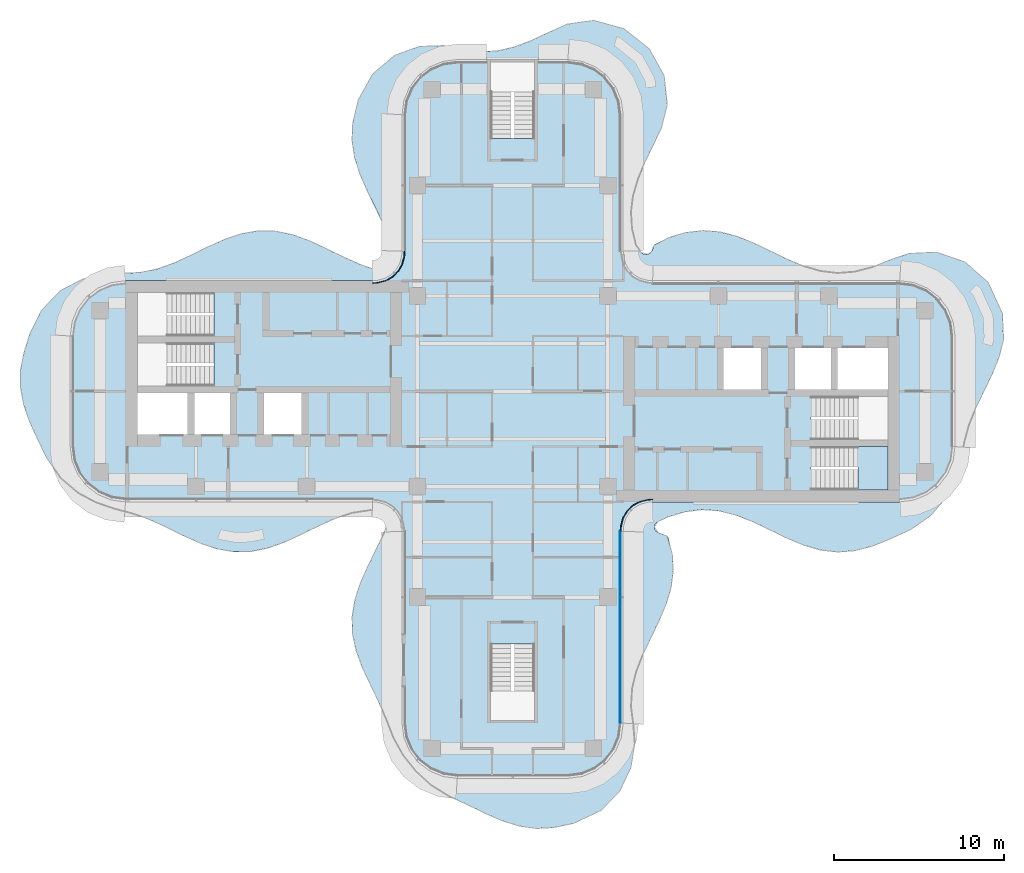
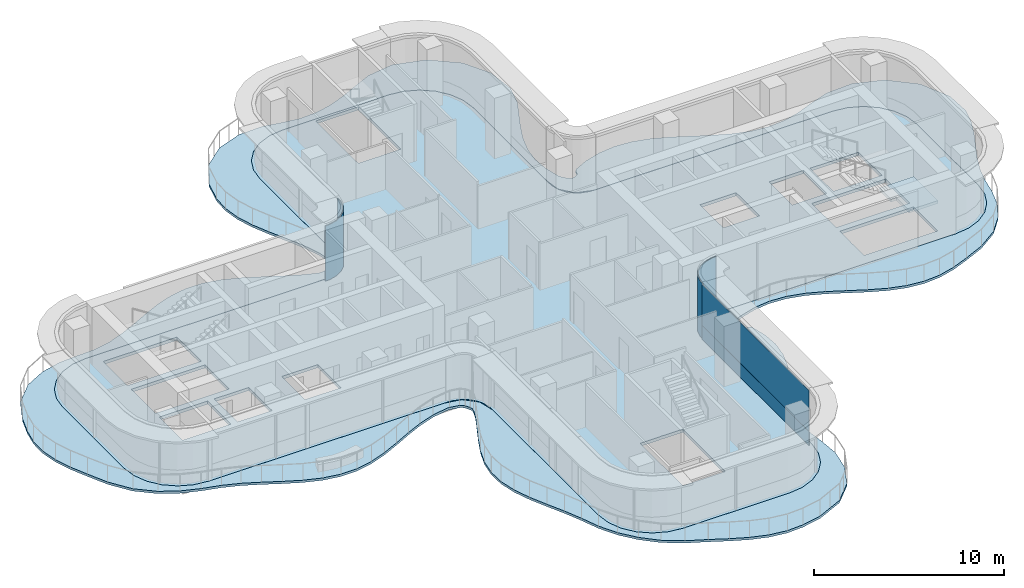
# One storey, part 9 of 16: 4 plates, 3 slabs, 4 elements without a shape of their own.
"""IFC4 building model written with IfcOpenShell, lengths in metres."""

from ifc_helpers import new_model, si_unit, direction, frame, origin, place, context, subcontext, project, spatial, polyline, outline, extrude, source, transform, mapped, material, layer, layer_set, type_object, element, aggregate, save


model = new_model("IFC4")

# Units and contexts
model_context = context("Model", 3, precision=1e-05, world=origin(), true_north=direction((0.0, 1.0)))
body_context = subcontext(model_context, "Body", "Model", "MODEL_VIEW")
ifc_project = project(units=[si_unit("LENGTHUNIT", "METRE"), si_unit("AREAUNIT", "SQUARE_METRE"), si_unit("VOLUMEUNIT", "CUBIC_METRE"), si_unit("PLANEANGLEUNIT", "RADIAN"), si_unit("MASSUNIT", "GRAM", prefix="KILO")], contexts=[model_context])

# Site, building, storey
site_placement = place(None, origin())
site = spatial("IfcSite", under=ifc_project, at=site_placement, CompositionType="ELEMENT")
building_placement = place(site_placement, origin())
building = spatial("IfcBuilding", under=site, at=building_placement, Name="Trellis Farm Tower", CompositionType="ELEMENT")
storey_placement = place(building_placement, frame((0.0, 0.0, 310.60009765625)))
storey = spatial("IfcBuildingStorey", under=building, at=storey_placement, Name="L70", CompositionType="ELEMENT", Elevation=310.60009765625)

# Slabs
ifc_material_1 = material(Name="Concrete C40/50", Category="concrete")
ifc_layer_1 = layer(ifc_material_1, 0.14990234375)
ifc_layer_set_1 = layer_set([ifc_layer_1], Name="Balcony slab 150")
slab_type_1 = type_object("IfcSlabType", Name="Balcony slab 150", PredefinedType="FLOOR", material=ifc_layer_set_1)
slab_1_placement = place(storey_placement, frame((0.0, 0.0, -0.150146484375)))
element("IfcSlab", 1, at=slab_1_placement, inside=storey, type_object=slab_type_1, Name="Balcony slab", PredefinedType="FLOOR", context=body_context, shape_type="SweptSolid", body=[
    extrude(outline(polyline([(-23.438720703125, -6.88720703125), (-24.484130859375, -6.526611328125), (-24.505615234375, -6.517333984375), (-25.52587890625, -5.974365234375), (-25.552734375, -5.955810546875), (-26.549072265625, -5.104248046875), (-26.574462890625, -5.076416015625), (-27.37646484375, -3.930908203125), (-27.388916015625, -3.90966796875), (-27.943603515625, -2.755126953125), (-27.945068359375, -2.752197265625), (-28.397705078125, -1.75439453125), (-28.40283203125, -1.741455078125), (-28.741943359375, -0.75732421875), (-28.747802734375, -0.735595703125), (-28.92529296875, 0.239013671875), (-28.927734375, 0.26708984375), (-28.92041015625, 1.23486328125), (-28.917724609375, 1.262451171875), (-28.7294921875, 2.22998046875), (-28.72509765625, 2.246337890625), (-28.372314453125, 3.368896484375), (-28.364013671875, 3.39013671875), (-27.693115234375, 4.75537109375), (-27.666259765625, 4.79345703125), (-26.584228515625, 5.909912109375), (-26.545654296875, 5.938720703125), (-25.31103515625, 6.57958984375), (-25.27685546875, 6.59228515625), (-24.091552734375, 6.87646484375), (-24.0654296875, 6.88037109375), (-22.932373046875, 6.9482421875), (-22.92822265625, 6.948486328125), (-21.923828125, 6.980224609375), (-21.911865234375, 6.981689453125), (-20.9228515625, 7.176025390625), (-20.912109375, 7.178955078125), (-19.885498046875, 7.544921875), (-19.879150390625, 7.547607421875), (-18.89697265625, 8.00048828125), (-18.895263671875, 8.001220703125), (-17.9033203125, 8.4892578125), (-17.8984375, 8.491455078125), (-16.90625, 8.9345703125), (-16.892578125, 8.939697265625), (-15.935302734375, 9.25927734375), (-15.9130859375, 9.264892578125), (-14.94580078125, 9.430419921875), (-14.917236328125, 9.432373046875), (-13.91748046875, 9.410400390625), (-13.8896484375, 9.4072265625), (-12.921630859375, 9.202392578125), (-12.901123046875, 9.19677734375), (-11.926025390625, 8.840087890625), (-11.914306640625, 8.83544921875), (-10.930419921875, 8.378662109375), (-10.927490234375, 8.377197265625), (-9.9296875, 7.886962890625), (-9.927001953125, 7.8857421875), (-8.95458984375, 7.454345703125), (-8.94873046875, 7.4521484375), (-8.147705078125, 7.17236328125), (-8.127685546875, 7.168212890625), (-7.95947265625, 7.158203125), (-7.939208984375, 7.15966796875), (-7.52587890625, 7.248779296875), (-7.510498046875, 7.25390625), (-7.39404296875, 7.3076171875), (-7.368408203125, 7.327392578125), (-7.2861328125, 7.425537109375), (-7.277099609375, 7.439208984375), (-7.104248046875, 7.773681640625), (-7.0966796875, 7.797119140625), (-7.0673828125, 7.998046875), (-7.06787109375, 8.022705078125), (-7.2021484375, 8.735107421875), (-7.20556640625, 8.7470703125), (-7.583251953125, 9.7763671875), (-7.585693359375, 9.7822265625), (-8.04443359375, 10.764892578125), (-8.045166015625, 10.766357421875), (-8.529541015625, 11.75244140625), (-8.5322265625, 11.75830078125), (-8.9638671875, 12.739501953125), (-8.96923828125, 12.75390625), (-9.281982421875, 13.726318359375), (-9.28759765625, 13.749755859375), (-9.438720703125, 14.74951171875), (-9.440185546875, 14.7783203125), (-9.398681640625, 15.7451171875), (-9.39501953125, 15.773193359375), (-9.083740234375, 17.086181640625), (-9.069091796875, 17.12353515625), (-8.2587890625, 18.601806640625), (-8.24365234375, 18.62451171875), (-8.220947265625, 18.652099609375), (-8.201904296875, 18.671875), (-6.9541015625, 19.72900390625), (-6.931884765625, 19.744384765625), (-6.901123046875, 19.76220703125), (-6.87646484375, 19.7734375), (-5.474853515625, 20.269287109375), (-5.42919921875, 20.27783203125), (-4.0419921875, 20.31884765625), (-4.009521484375, 20.316162109375), (-2.88037109375, 20.101318359375), (-2.876953125, 20.1005859375), (-1.914306640625, 19.9619140625), (-1.900390625, 19.961181640625), (-0.91650390625, 20.002685546875), (-0.90283203125, 20.00439453125), (0.090087890625, 20.230224609375), (0.10009765625, 20.2333984375), (1.099365234375, 20.61181640625), (1.104736328125, 20.614013671875), (2.1103515625, 21.087890625), (2.11279296875, 21.089111328125), (3.18310546875, 21.569580078125), (3.22265625, 21.5810546875), (4.697021484375, 21.798583984375), (4.72802734375, 21.800048828125), (4.76806640625, 21.797607421875), (4.798828125, 21.79248046875), (6.51171875, 21.32080078125), (6.539794921875, 21.309814453125), (6.57470703125, 21.2919921875), (6.600341796875, 21.275634765625), (8.02880859375, 20.134521484375), (8.05029296875, 20.11376953125), (8.074951171875, 20.084228515625), (8.091796875, 20.0595703125), (8.881591796875, 18.609619140625), (8.892822265625, 18.5830078125), (8.904296875, 18.546875), (8.91015625, 18.518310546875), (9.091552734375, 16.8642578125), (9.092041015625, 16.83740234375), (9.089599609375, 16.802734375), (9.085205078125, 16.77587890625), (8.7587890625, 15.505859375), (8.748779296875, 15.47802734375), (7.8076171875, 13.52392578125), (7.806396484375, 13.52099609375), (7.386962890625, 12.540283203125), (7.384033203125, 12.5322265625), (7.076904296875, 11.499267578125), (7.07421875, 11.4873046875), (6.95751953125, 10.56640625), (6.95703125, 10.552490234375), (7.015869140625, 9.567626953125), (7.017822265625, 9.554443359375), (7.24609375, 8.61376953125), (7.251708984375, 8.5986328125), (7.308349609375, 8.482177734375), (7.316650390625, 8.46875), (7.54248046875, 8.179443359375), (7.559326171875, 8.163818359375), (7.70654296875, 8.063232421875), (7.749267578125, 8.050537109375), (7.927490234375, 8.05419921875), (7.949951171875, 8.058349609375), (7.989013671875, 8.071533203125), (8.0048828125, 8.079345703125), (8.122314453125, 8.154541015625), (8.146484375, 8.18017578125), (8.21630859375, 8.302001953125), (8.222900390625, 8.31689453125), (8.2958984375, 8.551025390625), (8.372802734375, 8.64111328125), (9.17724609375, 9.03759765625), (9.20166015625, 9.047119140625), (10.173583984375, 9.3291015625), (10.1982421875, 9.334228515625), (11.169677734375, 9.44580078125), (11.198486328125, 9.4462890625), (12.165283203125, 9.371337890625), (12.19091796875, 9.3671875), (13.139404296875, 9.1240234375), (13.15771484375, 9.1181640625), (14.156005859375, 8.721435546875), (14.166015625, 8.71728515625), (16.137451171875, 7.76611328125), (16.14111328125, 7.764404296875), (17.12109375, 7.35400390625), (17.12939453125, 7.35107421875), (18.10595703125, 7.069580078125), (18.1181640625, 7.06689453125), (19.095947265625, 6.955078125), (19.110107421875, 6.95458984375), (20.095703125, 7.030517578125), (20.108642578125, 7.03271484375), (21.10302734375, 7.289794921875), (21.112060546875, 7.292724609375), (22.1259765625, 7.698486328125), (22.133056640625, 7.701171875), (23.29345703125, 8.099853515625), (23.33447265625, 8.107666015625), (24.85009765625, 8.18408203125), (24.87890625, 8.182861328125), (24.914306640625, 8.177734375), (24.941650390625, 8.17138671875), (26.525390625, 7.632080078125), (26.55224609375, 7.619873046875), (26.58544921875, 7.6005859375), (26.609375, 7.583251953125), (27.9501953125, 6.3984375), (27.9716796875, 6.375), (27.995849609375, 6.34228515625), (28.011962890625, 6.31494140625), (28.768310546875, 4.642333984375), (28.777587890625, 4.615234375), (28.7861328125, 4.579345703125), (28.790283203125, 4.551025390625), (28.855712890625, 3.061279296875), (28.851318359375, 3.017333984375), (28.59326171875, 2.01318359375), (28.5869140625, 1.993896484375), (28.180419921875, 0.99560546875), (28.176513671875, 0.987060546875), (27.224853515625, -0.984375), (27.222900390625, -0.988525390625), (26.822021484375, -1.968017578125), (26.819091796875, -1.9765625), (26.54638671875, -2.97607421875), (26.545166015625, -2.982177734375), (26.343017578125, -4.073974609375), (26.339111328125, -4.089599609375), (26.012939453125, -5.185302734375), (26.001953125, -5.21240234375), (25.43603515625, -6.289306640625), (25.417236328125, -6.31689453125), (24.57275390625, -7.3037109375), (24.5439453125, -7.32958984375), (23.3671875, -8.142333984375), (23.343505859375, -8.156005859375), (22.130615234375, -8.69921875), (22.125244140625, -8.701416015625), (21.127197265625, -9.102783203125), (21.10888671875, -9.108642578125), (20.13037109375, -9.3642578125), (20.1044921875, -9.36865234375), (19.13427734375, -9.446533203125), (19.10546875, -9.446044921875), (18.138671875, -9.337646484375), (18.114013671875, -9.3330078125), (17.16259765625, -9.060791015625), (17.14599609375, -9.05517578125), (16.1474609375, -8.638671875), (16.139892578125, -8.63525390625), (14.147216796875, -7.6748046875), (14.14208984375, -7.672607421875), (13.142333984375, -7.27734375), (13.133056640625, -7.2744140625), (12.13916015625, -7.025146484375), (12.1259765625, -7.02294921875), (11.140869140625, -6.955810546875), (11.126708984375, -6.9560546875), (10.149169921875, -7.076416015625), (10.136962890625, -7.0791015625), (9.15673828125, -7.3701171875), (9.146728515625, -7.373779296875), (8.5361328125, -7.65478515625), (8.51806640625, -7.66650390625), (8.3916015625, -7.778076171875), (8.369384765625, -7.81396484375), (8.328369140625, -7.966064453125), (8.32958984375, -8.00830078125), (8.37939453125, -8.15771484375), (8.40380859375, -8.1923828125), (8.536376953125, -8.29638671875), (8.55517578125, -8.30712890625), (9.060791015625, -8.505126953125), (9.118896484375, -8.5458984375), (9.119873046875, -8.546875), (9.15283203125, -8.610107421875), (9.37939453125, -9.5322265625), (9.383544921875, -9.55859375), (9.444580078125, -10.5283203125), (9.443603515625, -10.556884765625), (9.318603515625, -11.523681640625), (9.313720703125, -11.547607421875), (9.027587890625, -12.5009765625), (9.02197265625, -12.5166015625), (8.59619140625, -13.515380859375), (8.593505859375, -13.521484375), (7.63427734375, -15.51611328125), (7.6318359375, -15.521484375), (7.261474609375, -16.4765625), (7.258544921875, -16.48583984375), (7.020263671875, -17.4619140625), (7.018310546875, -17.475341796875), (6.95849609375, -18.520751953125), (6.958984375, -18.534423828125), (7.08740234375, -19.529541015625), (7.088134765625, -19.536865234375), (7.18115234375, -20.71337890625), (7.1796875, -20.75), (6.95263671875, -22.1083984375), (6.940185546875, -22.148193359375), (6.296875, -23.49853515625), (6.26904296875, -23.538818359375), (5.211181640625, -24.6259765625), (5.1904296875, -24.643798828125), (5.16162109375, -24.664306640625), (5.1376953125, -24.677978515625), (3.60595703125, -25.383544921875), (3.573974609375, -25.394287109375), (2.397216796875, -25.640380859375), (2.3740234375, -25.643310546875), (1.4072265625, -25.6923828125), (1.37841796875, -25.691162109375), (0.37841796875, -25.548095703125), (0.3544921875, -25.542724609375), (-0.617431640625, -25.23681640625), (-0.632080078125, -25.231201171875), (-1.605712890625, -24.806884765625), (-1.61181640625, -24.80419921875), (-2.61181640625, -24.314208984375), (-2.61328125, -24.3134765625), (-3.7265625, -23.800537109375), (-3.7431640625, -23.791748046875), (-4.805908203125, -23.130859375), (-4.828369140625, -23.11376953125), (-5.693115234375, -22.31689453125), (-5.708740234375, -22.300048828125), (-6.425048828125, -21.400146484375), (-6.43896484375, -21.37939453125), (-6.996826171875, -20.375), (-7.005615234375, -20.3564453125), (-7.42626953125, -19.273681640625), (-7.427490234375, -19.27099609375), (-7.863525390625, -18.267578125), (-7.864990234375, -18.2646484375), (-8.356689453125, -17.26220703125), (-8.35791015625, -17.259521484375), (-8.821533203125, -16.265380859375), (-8.826416015625, -16.25390625), (-9.18994140625, -15.268310546875), (-9.196044921875, -15.247802734375), (-9.405517578125, -14.271484375), (-9.40869140625, -14.244140625), (-9.435791015625, -13.275634765625), (-9.433837890625, -13.247314453125), (-9.2763671875, -12.2802734375), (-9.270751953125, -12.257568359375), (-8.951416015625, -11.28466796875), (-8.946044921875, -11.2705078125), (-8.510498046875, -10.28857421875), (-8.50830078125, -10.283935546875), (-7.569580078125, -8.349853515625), (-7.566162109375, -8.341552734375), (-7.3916015625, -7.832275390625), (-7.38818359375, -7.81689453125), (-7.373779296875, -7.698486328125), (-7.37646484375, -7.668212890625), (-7.41064453125, -7.5537109375), (-7.41650390625, -7.539306640625), (-7.56298828125, -7.26904296875), (-7.572265625, -7.255615234375), (-7.656494140625, -7.158935546875), (-7.682373046875, -7.139892578125), (-7.7998046875, -7.08837890625), (-7.8154296875, -7.083251953125), (-8.351806640625, -6.97802734375), (-8.365234375, -6.976806640625), (-8.477294921875, -6.975341796875), (-8.4912109375, -6.976318359375), (-9.431396484375, -7.140380859375), (-9.4423828125, -7.14306640625), (-10.419921875, -7.47119140625), (-10.4267578125, -7.473876953125), (-11.396728515625, -7.90771484375), (-11.399169921875, -7.908935546875), (-12.400390625, -8.401123046875), (-12.40380859375, -8.40283203125), (-13.397216796875, -8.860107421875), (-13.40966796875, -8.864990234375), (-14.394287109375, -9.216552734375), (-14.415771484375, -9.222412109375), (-15.39111328125, -9.416259765625), (-15.418701171875, -9.4189453125), (-16.38671875, -9.4287109375), (-16.414794921875, -9.426513671875), (-17.38232421875, -9.253173828125), (-17.404296875, -9.247314453125), (-18.3779296875, -8.915283203125), (-18.39111328125, -8.91015625), (-19.3681640625, -8.469482421875), (-19.372802734375, -8.46728515625), (-20.364013671875, -7.9794921875), (-20.36572265625, -7.978515625), (-21.34814453125, -7.52880859375), (-21.354248046875, -7.526123046875), (-22.3447265625, -7.17529296875), (-22.350830078125, -7.17333984375), (-23.427734375, -6.890625), (-23.438720703125, -6.88720703125)]), holes=[polyline([(-8.41796875, -6.502197265625), (-7.5166015625, -6.66064453125), (-7.47509765625, -6.67431640625), (-7.42724609375, -6.698486328125), (-7.391845703125, -6.72314453125), (-6.78564453125, -7.29248046875), (-6.7587890625, -7.326416015625), (-6.731689453125, -7.37255859375), (-6.71533203125, -7.413330078125), (-6.504150390625, -8.30078125), (-6.50048828125, -8.33056640625), (-6.50048828125, -19.5), (-6.389892578125, -20.34130859375), (-6.065185546875, -21.125244140625), (-5.548583984375, -21.798583984375), (-4.875244140625, -22.315185546875), (-4.09130859375, -22.639892578125), (-3.25, -22.75048828125), (3.25, -22.75048828125), (4.09130859375, -22.639892578125), (4.875244140625, -22.315185546875), (5.548583984375, -21.798583984375), (6.065185546875, -21.125244140625), (6.389892578125, -20.34130859375), (6.50048828125, -19.5), (6.50048828125, -14.7783203125), (6.50146484375, -8.531982421875), (6.502685546875, -8.51318359375), (6.6162109375, -7.62060546875), (6.627197265625, -7.580810546875), (6.6474609375, -7.532958984375), (6.6689453125, -7.49755859375), (7.19287109375, -6.849853515625), (7.2255859375, -6.81982421875), (7.270751953125, -6.789306640625), (7.31201171875, -6.769775390625), (8.18359375, -6.509521484375), (8.2265625, -6.50341796875), (19.6259765625, -6.50048828125), (22.75, -6.50048828125), (23.59130859375, -6.389892578125), (24.375244140625, -6.065185546875), (25.048583984375, -5.548583984375), (25.565185546875, -4.875244140625), (25.889892578125, -4.09130859375), (26.00048828125, -3.25), (26.00048828125, 3.25), (25.889892578125, 4.09130859375), (25.565185546875, 4.875244140625), (25.048583984375, 5.548583984375), (24.375244140625, 6.065185546875), (23.59130859375, 6.389892578125), (22.75, 6.50048828125), (19.626220703125, 6.50048828125), (8.2265625, 6.50341796875), (8.18359375, 6.509521484375), (7.31201171875, 6.769775390625), (7.270751953125, 6.789306640625), (7.2255859375, 6.81982421875), (7.19287109375, 6.849853515625), (6.6689453125, 7.49755859375), (6.6474609375, 7.532958984375), (6.627197265625, 7.580810546875), (6.6162109375, 7.62060546875), (6.502685546875, 8.51318359375), (6.50146484375, 8.531982421875), (6.50048828125, 12.0361328125), (6.50048828125, 16.25), (6.389892578125, 17.09130859375), (6.065185546875, 17.875244140625), (5.548583984375, 18.548583984375), (4.875244140625, 19.065185546875), (4.09130859375, 19.389892578125), (3.25, 19.50048828125), (-3.25, 19.50048828125), (-4.09130859375, 19.389892578125), (-4.875244140625, 19.065185546875), (-5.548583984375, 18.548583984375), (-6.065185546875, 17.875244140625), (-6.389892578125, 17.09130859375), (-6.50048828125, 16.25), (-6.50048828125, 8.7666015625), (-6.56005859375, 7.838134765625), (-6.56640625, 7.80419921875), (-6.5791015625, 7.76171875), (-6.593017578125, 7.72998046875), (-7.0166015625, 7.00244140625), (-7.045166015625, 6.967041015625), (-7.0869140625, 6.928955078125), (-7.124755859375, 6.90380859375), (-7.896484375, 6.545654296875), (-7.92578125, 6.53564453125), (-7.96435546875, 6.526611328125), (-7.994873046875, 6.522705078125), (-8.91552734375, 6.50048828125), (-22.75, 6.50048828125), (-23.59130859375, 6.389892578125), (-24.375244140625, 6.065185546875), (-25.048583984375, 5.548583984375), (-25.565185546875, 4.875244140625), (-25.889892578125, 4.09130859375), (-26.00048828125, 3.25), (-26.00048828125, -3.25), (-25.889892578125, -4.09130859375), (-25.565185546875, -4.875244140625), (-25.048583984375, -5.548583984375), (-24.375244140625, -6.065185546875), (-23.59130859375, -6.389892578125), (-22.75, -6.50048828125), (-8.43701171875, -6.50048828125), (-8.41796875, -6.502197265625)])]), origin(), (0.0, 0.0, 1.0), 0.150146484375),
])
ifc_layer_2 = layer(ifc_material_1, 0.199951171875)
ifc_layer_set_2 = layer_set([ifc_layer_2], Name="Composite deck floor slab 200")
slab_type_2 = type_object("IfcSlabType", Name="Composite deck floor slab 200", PredefinedType="FLOOR", material=ifc_layer_set_2)
slab_2_placement = place(storey_placement, frame((0.0, 0.0, -0.2001953125)))
element("IfcSlab", 2, at=slab_2_placement, inside=storey, type_object=slab_type_2, Name="Floor slab", PredefinedType="FLOOR", context=body_context, shape_type="SweptSolid", body=[
    extrude(outline(polyline([(-23.59130859375, -6.389404296875), (-24.375, -6.064697265625), (-25.048095703125, -5.548095703125), (-25.564697265625, -4.875), (-25.889404296875, -4.09130859375), (-26.0, -3.25), (-26.0, 3.25), (-25.889404296875, 4.09130859375), (-25.564697265625, 4.875), (-25.048095703125, 5.548095703125), (-24.375, 6.064697265625), (-23.59130859375, 6.389404296875), (-22.75, 6.5), (-8.2314453125, 6.5), (-8.01953125, 6.513916015625), (-7.91552734375, 6.527587890625), (-7.508544921875, 6.63671875), (-7.144287109375, 6.846923828125), (-6.846923828125, 7.144287109375), (-6.63671875, 7.508544921875), (-6.527587890625, 7.91552734375), (-6.513916015625, 8.01953125), (-6.5, 8.2314453125), (-6.5, 16.25), (-6.389404296875, 17.09130859375), (-6.064697265625, 17.875), (-5.548095703125, 18.548095703125), (-4.875, 19.064697265625), (-4.09130859375, 19.389404296875), (-3.25, 19.5), (3.25, 19.5), (4.09130859375, 19.389404296875), (4.875, 19.064697265625), (5.548095703125, 18.548095703125), (6.064697265625, 17.875), (6.389404296875, 17.09130859375), (6.5, 16.25), (6.5, 8.2314453125), (6.513916015625, 8.01953125), (6.527587890625, 7.91552734375), (6.63671875, 7.508544921875), (6.846923828125, 7.144287109375), (7.144287109375, 6.846923828125), (7.508544921875, 6.63671875), (7.91552734375, 6.527587890625), (8.01953125, 6.513916015625), (8.2314453125, 6.5), (22.75, 6.5), (23.59130859375, 6.389404296875), (24.375, 6.064697265625), (25.048095703125, 5.548095703125), (25.564697265625, 4.875), (25.889404296875, 4.09130859375), (26.0, 3.25), (26.0, -3.25), (25.889404296875, -4.09130859375), (25.564697265625, -4.875), (25.048095703125, -5.548095703125), (24.375, -6.064697265625), (23.59130859375, -6.389404296875), (22.75, -6.5), (8.2314453125, -6.5), (8.01953125, -6.513916015625), (7.91552734375, -6.527587890625), (7.508544921875, -6.63671875), (7.144287109375, -6.846923828125), (6.846923828125, -7.144287109375), (6.63671875, -7.508544921875), (6.527587890625, -7.91552734375), (6.513916015625, -8.01953125), (6.5, -8.2314453125), (6.5, -19.5), (6.389404296875, -20.34130859375), (6.064697265625, -21.125), (5.548095703125, -21.798095703125), (4.875, -22.314697265625), (4.09130859375, -22.639404296875), (3.25, -22.75), (-3.25, -22.75), (-4.09130859375, -22.639404296875), (-4.875, -22.314697265625), (-5.548095703125, -21.798095703125), (-6.064697265625, -21.125), (-6.389404296875, -20.34130859375), (-6.5, -19.5), (-6.5, -8.2314453125), (-6.513916015625, -8.01953125), (-6.527587890625, -7.91552734375), (-6.63671875, -7.508544921875), (-6.846923828125, -7.144287109375), (-7.144287109375, -6.846923828125), (-7.508544921875, -6.63671875), (-7.91552734375, -6.527587890625), (-8.01953125, -6.513916015625), (-8.2314453125, -6.5), (-22.75, -6.5), (-23.59130859375, -6.389404296875)]), holes=[polyline([(-22.050048828125, -2.550048828125), (-19.10009765625, -2.550048828125), (-19.10009765625, -0.10009765625), (-22.050048828125, -0.10009765625), (-22.050048828125, -2.550048828125)]), polyline([(-18.699951171875, -0.10009765625), (-18.699951171875, -2.550048828125), (-16.60009765625, -2.550048828125), (-16.60009765625, -0.10009765625), (-18.699951171875, -0.10009765625)]), polyline([(-14.60009765625, -0.10009765625), (-14.60009765625, -2.550048828125), (-12.39990234375, -2.550048828125), (-12.39990234375, -0.10009765625), (-14.60009765625, -0.10009765625)]), polyline([(-17.56201171875, 2.85009765625), (-22.050048828125, 2.85009765625), (-22.050048828125, 0.300048828125), (-17.56005859375, 0.300048828125), (-17.56005859375, 1.5), (-17.550048828125, 1.5), (-17.550048828125, 1.64990234375), (-17.56201171875, 1.64990234375), (-17.56201171875, 2.85009765625)]), polyline([(-17.56201171875, 4.60009765625), (-17.56201171875, 5.800048828125), (-22.050048828125, 5.800048828125), (-22.050048828125, 3.25), (-17.56005859375, 3.25), (-17.56005859375, 4.449951171875), (-17.550048828125, 4.449951171875), (-17.550048828125, 4.60009765625), (-17.56201171875, 4.60009765625)]), polyline([(0.10009765625, 14.862060546875), (1.300048828125, 14.862060546875), (1.300048828125, 19.35009765625), (-1.300048828125, 19.35009765625), (-1.300048828125, 14.860107421875), (-0.10009765625, 14.860107421875), (-0.10009765625, 14.85009765625), (0.10009765625, 14.85009765625), (0.10009765625, 14.862060546875)]), polyline([(-1.300048828125, -14.862060546875), (-1.300048828125, -19.35009765625), (1.300048828125, -19.35009765625), (1.300048828125, -14.860107421875), (0.10009765625, -14.860107421875), (0.10009765625, -14.85009765625), (-0.10009765625, -14.85009765625), (-0.10009765625, -14.862060546875), (-1.300048828125, -14.862060546875)]), polyline([(17.56201171875, -4.60009765625), (17.56201171875, -5.800048828125), (22.050048828125, -5.800048828125), (22.050048828125, -3.25), (17.56005859375, -3.25), (17.56005859375, -4.449951171875), (17.550048828125, -4.449951171875), (17.550048828125, -4.60009765625), (17.56201171875, -4.60009765625)]), polyline([(17.56201171875, -1.64990234375), (17.56201171875, -2.85009765625), (22.050048828125, -2.85009765625), (22.050048828125, -0.300048828125), (17.56005859375, -0.300048828125), (17.56005859375, -1.5), (17.550048828125, -1.5), (17.550048828125, -1.64990234375), (17.56201171875, -1.64990234375)]), polyline([(14.60009765625, 2.550048828125), (12.39990234375, 2.550048828125), (12.39990234375, 0.10009765625), (14.60009765625, 0.10009765625), (14.60009765625, 2.550048828125)]), polyline([(18.699951171875, 0.10009765625), (18.699951171875, 2.550048828125), (16.60009765625, 2.550048828125), (16.60009765625, 0.10009765625), (18.699951171875, 0.10009765625)]), polyline([(22.050048828125, 0.10009765625), (22.050048828125, 2.550048828125), (19.10009765625, 2.550048828125), (19.10009765625, 0.10009765625), (22.050048828125, 0.10009765625)])]), origin(), (0.0, 0.0, 1.0), 0.2001953125),
])

# Stair, slab
ifc_material_2 = material(Name="Concrete C50/60", Category="concrete")
stair_type = type_object("IfcStairType", Name="CORE EXIT STAIR 22 RISERS 177 MM", PredefinedType="HALF_TURN_STAIR", material=ifc_material_2)
placement = place(storey_placement, origin())
stair = element("IfcStair", 3, at=placement, inside=storey, type_object=stair_type, Name="Exit stair E1", PredefinedType="HALF_TURN_STAIR")
ifc_layer_3 = layer(ifc_material_2, 0.18994140625)
ifc_layer_set_3 = layer_set([ifc_layer_3], Name="CORE STAIR LANDING 190 CONCRETE C50/60")
slab_type_3 = type_object("IfcSlabType", Name="CORE STAIR LANDING 190 CONCRETE C50/60", PredefinedType="LANDING", material=ifc_layer_set_3)
shared_shape_1 = source(origin(), body_context, "Body", "SweptSolid", [
    extrude(outline(polyline([(20.2900390625, -5.800048828125), (20.2900390625, -4.60009765625), (20.300048828125, -4.60009765625), (20.300048828125, -4.449951171875), (19.971923828125, -4.449951171875), (19.971923828125, -3.25), (20.300048828125, -3.25), (22.050048828125, -3.25), (22.050048828125, -5.800048828125), (20.300048828125, -5.800048828125), (20.2900390625, -5.800048828125)])), origin(), (0.0, 0.0, 1.0), 0.18994140625),
])
slab_3_placement = place(storey_placement, frame((0.0, 0.0, 1.760009765625)))
slab_3 = element("IfcSlab", 4, at=slab_3_placement, type_object=slab_type_3, Name="STE1 landing 1", PredefinedType="LANDING", context=body_context, shape_type="MappedRepresentation", body=[
    mapped(shared_shape_1, transform((0.0, 0.0, 0.0))),
])
aggregate(stair, [slab_3])

# Curtain wall, plate
ifc_material_3 = material(Name="Aluminium and glass curtain wall", Category="aluminium")
ifc_layer_4 = layer(ifc_material_3, 0.166015625)
ifc_layer_set_4 = layer_set([ifc_layer_4], Name="WINTER GARDEN CURTAIN WALL CW3")
curtain_wall_type_1 = type_object("IfcCurtainWallType", Name="WINTER GARDEN CURTAIN WALL CW3", PredefinedType="NOTDEFINED", material=ifc_layer_set_4)
curtain_wall_1 = element("IfcCurtainWall", 5, at=placement, inside=storey, type_object=curtain_wall_type_1, Name="CW3 002", PredefinedType="NOTDEFINED")
ifc_material_4 = material(Name="Clear insulated glass", Category="glass")
ifc_layer_5 = layer(ifc_material_4, 0.0458984375)
ifc_layer_set_5 = layer_set([ifc_layer_5], Name="CW3 GLASS PANEL 46")
plate_type_1 = type_object("IfcPlateType", Name="CW3 GLASS PANEL 46", PredefinedType="CURTAIN_PANEL", material=ifc_layer_set_5)
shared_shape_2 = source(origin(), body_context, "Body", "SweptSolid", [
    extrude(outline(polyline([(6.3798828125, -8.2275390625), (6.394287109375, -8.0078125), (6.40966796875, -7.89208984375), (6.52490234375, -7.462158203125), (6.7509765625, -7.070556640625), (7.070556640625, -6.7509765625), (7.462158203125, -6.52490234375), (7.89208984375, -6.40966796875), (8.0078125, -6.394287109375), (8.2275390625, -6.3798828125), (8.22607421875, -6.333984375), (8.003173828125, -6.3486328125), (7.883056640625, -6.364501953125), (7.4443359375, -6.48193359375), (7.04248046875, -6.714111328125), (6.714111328125, -7.04248046875), (6.48193359375, -7.4443359375), (6.364501953125, -7.883056640625), (6.3486328125, -8.003173828125), (6.333984375, -8.22607421875), (6.3798828125, -8.2275390625)])), origin(), (0.0, 0.0, 1.0), 3.5498046875),
])
plate_1 = element("IfcPlate", 6, at=placement, type_object=plate_type_1, Name="PL3 002", PredefinedType="CURTAIN_PANEL", context=body_context, shape_type="MappedRepresentation", body=[
    mapped(shared_shape_2, transform((0.0, 0.0, 0.0))),
])
aggregate(curtain_wall_1, [plate_1])

curtain_wall_2 = element("IfcCurtainWall", 7, at=placement, inside=storey, type_object=curtain_wall_type_1, Name="CW3 004", PredefinedType="NOTDEFINED")
shared_shape_3 = source(origin(), body_context, "Body", "SweptSolid", [
    extrude(outline(polyline([(-6.3798828125, 8.2275390625), (-6.394287109375, 8.0078125), (-6.40966796875, 7.89208984375), (-6.52490234375, 7.462158203125), (-6.7509765625, 7.070556640625), (-7.070556640625, 6.7509765625), (-7.462158203125, 6.52490234375), (-7.89208984375, 6.40966796875), (-8.0078125, 6.394287109375), (-8.2275390625, 6.3798828125), (-8.22607421875, 6.333984375), (-8.003173828125, 6.3486328125), (-7.883056640625, 6.364501953125), (-7.4443359375, 6.48193359375), (-7.04248046875, 6.714111328125), (-6.714111328125, 7.04248046875), (-6.48193359375, 7.4443359375), (-6.364501953125, 7.883056640625), (-6.3486328125, 8.003173828125), (-6.333984375, 8.22607421875), (-6.3798828125, 8.2275390625)])), origin(), (0.0, 0.0, 1.0), 3.5498046875),
])
plate_2 = element("IfcPlate", 8, at=placement, type_object=plate_type_1, Name="PL3 004", PredefinedType="CURTAIN_PANEL", context=body_context, shape_type="MappedRepresentation", body=[
    mapped(shared_shape_3, transform((0.0, 0.0, 0.0))),
])
aggregate(curtain_wall_2, [plate_2])

# Curtain wall, plates
ifc_layer_6 = layer(ifc_material_3, 0.18994140625)
ifc_layer_set_6 = layer_set([ifc_layer_6], Name="RIBBON CURTAIN WALL CW1")
curtain_wall_type_2 = type_object("IfcCurtainWallType", Name="RIBBON CURTAIN WALL CW1", PredefinedType="NOTDEFINED", material=ifc_layer_set_6)
curtain_wall_3 = element("IfcCurtainWall", 9, at=placement, inside=storey, type_object=curtain_wall_type_2, Name="CW1 005", PredefinedType="NOTDEFINED")
ifc_layer_7 = layer(ifc_material_4, 0.0400390625)
ifc_layer_set_7 = layer_set([ifc_layer_7], Name="CW1 GLASS PANEL 40")
plate_type_2 = type_object("IfcPlateType", Name="CW1 GLASS PANEL 40", PredefinedType="CURTAIN_PANEL", material=ifc_layer_set_7)
shared_shape_4 = source(origin(), body_context, "Body", "SweptSolid", [
    extrude(outline(polyline([(6.35009765625, -19.490234375), (6.35009765625, -8.2265625), (6.31005859375, -8.22509765625), (6.31005859375, -19.487548828125), (6.35009765625, -19.490234375)])), origin(), (0.0, 0.0, 1.0), 2.6201171875),
])
plate_3_placement = place(storey_placement, frame((0.0, 0.0, 0.89990234375)))
plate_3 = element("IfcPlate", 10, at=plate_3_placement, type_object=plate_type_2, Name="PL1 005", PredefinedType="CURTAIN_PANEL", context=body_context, shape_type="MappedRepresentation", body=[
    mapped(shared_shape_4, transform((0.0, 0.0, 0.0))),
])
ifc_material_5 = material(Name="Sandstone faced insulated panel", Category="masonry")
ifc_layer_8 = layer(ifc_material_5, 0.050048828125)
ifc_layer_set_8 = layer_set([ifc_layer_8], Name="CW1 STONE SPANDREL PANEL 50")
plate_type_3 = type_object("IfcPlateType", Name="CW1 STONE SPANDREL PANEL 50", PredefinedType="CURTAIN_PANEL", material=ifc_layer_set_8)
shared_shape_5 = source(origin(), body_context, "Body", "SweptSolid", [
    extrude(outline(polyline([(6.35009765625, -19.490234375), (6.35009765625, -8.2265625), (6.300048828125, -8.224853515625), (6.300048828125, -19.48681640625), (6.35009765625, -19.490234375)])), origin(), (0.0, 0.0, 1.0), 0.89990234375),
])
plate_4 = element("IfcPlate", 11, at=placement, type_object=plate_type_3, Name="PS1 005", PredefinedType="CURTAIN_PANEL", context=body_context, shape_type="MappedRepresentation", body=[
    mapped(shared_shape_5, transform((0.0, 0.0, 0.0))),
])
aggregate(curtain_wall_3, [plate_3, plate_4])

save(model, "model.ifc")
